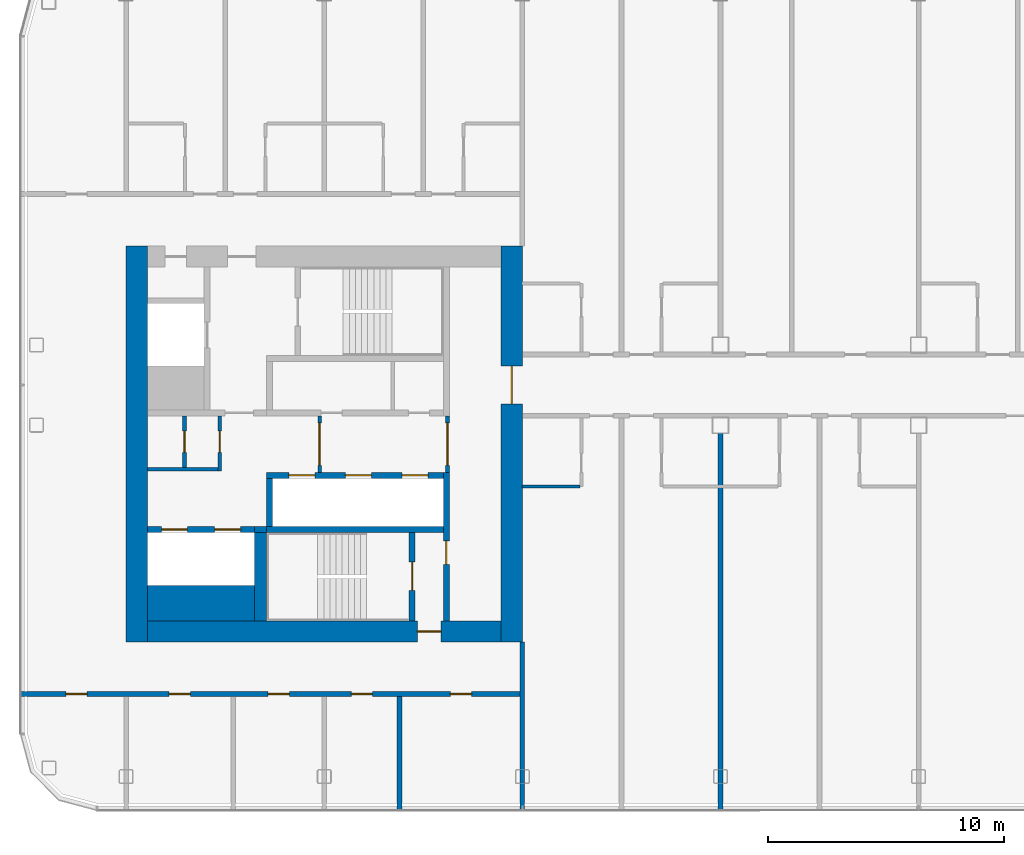
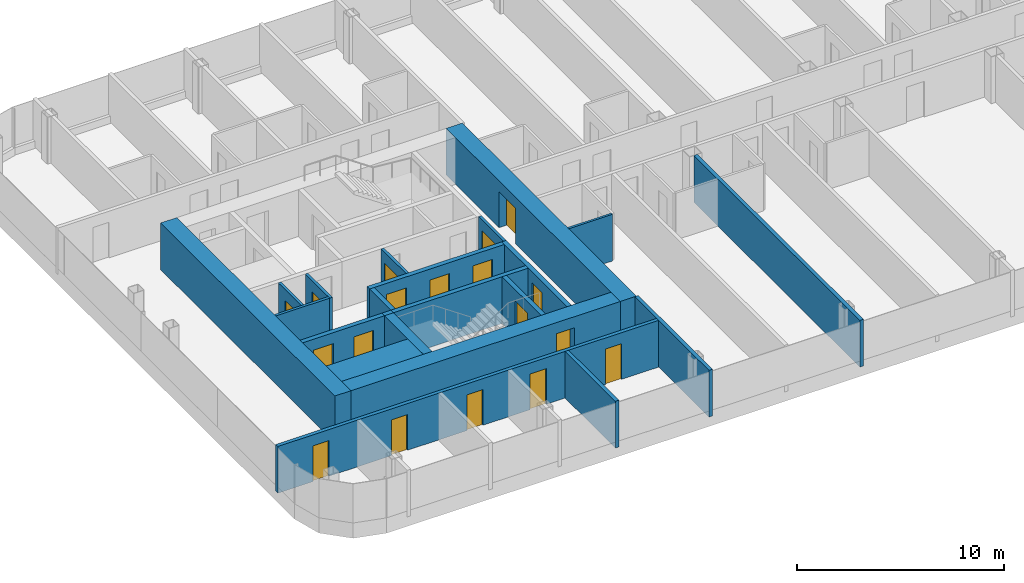
# One storey, part 13 of 26: 22 walls, 18 doors, 18 openings.
"""IFC4 building model written with IfcOpenShell, lengths in metres."""

import ifcopenshell
import ifcopenshell.guid

model = None  # the IFC model being written
_history = None  # IfcOwnerHistory: only IFC2X3 demands one
_inside = {}  # id of a spatial element -> (the spatial element, [elements in it])
_under = {}  # id of a project, library or spatial element -> (it, [spatial elements below it])
_declared = {}  # id of a project -> (the project, [libraries it declares])
_typed = {}  # id of a type object -> (the type object, [elements of that type])
_made_of = {}  # id of a material, layer set ... -> (it, [elements and type objects made of it])


def new_model(schema):
    """Start an empty IFC model of exactly this schema.

    Asked for "IFC4X3", IfcOpenShell would pick the latest addendum, in which some entities
    have other attributes; the version numbers below select the first issue.
    IFC2X3 requires an IfcOwnerHistory on every rooted entity: one is made here for all.
    """
    global model, _history
    if schema == "IFC4X3":
        model = ifcopenshell.file(schema_version=(4, 3, 0, 0))
    else:
        model = ifcopenshell.file(schema=schema)
    _inside.clear()
    _under.clear()
    _declared.clear()
    _typed.clear()
    _made_of.clear()
    _history = None
    if model.schema == "IFC2X3":
        org = make("IfcOrganization", Name="unknown")
        user = make(
            "IfcPersonAndOrganization",
            ThePerson=make("IfcPerson", FamilyName="unknown"),
            TheOrganization=org,
        )
        app = make(
            "IfcApplication",
            ApplicationDeveloper=org,
            Version="unknown",
            ApplicationFullName="unknown",
            ApplicationIdentifier="unknown",
        )
        _history = make(
            "IfcOwnerHistory",
            OwningUser=user,
            OwningApplication=app,
            ChangeAction="ADDED",
            CreationDate=0,
        )
    return model


def make(cls, **values):
    """One entity of the class cls with the attributes given. An attribute that is None is left unset."""
    return model.create_entity(
        cls, **{name: value for name, value in values.items() if value is not None}
    )


def rooted(cls, **values):
    """An entity with a GlobalId (a new one), such as an element, a storey or a relation."""
    return make(cls, GlobalId=ifcopenshell.guid.new(), OwnerHistory=_history, **values)


def si_unit(unit_type, name, prefix=None):
    """IfcSIUnit, for example si_unit("LENGTHUNIT", "METRE", prefix="MILLI")."""
    return make("IfcSIUnit", UnitType=unit_type, Prefix=prefix, Name=name)


def assignment(units):
    """IfcUnitAssignment: the units of a project."""
    return None if units is None else make("IfcUnitAssignment", Units=units)


def point(xyz):
    """IfcCartesianPoint."""
    return None if xyz is None else make("IfcCartesianPoint", Coordinates=xyz)


def direction(xyz):
    """IfcDirection."""
    return None if xyz is None else make("IfcDirection", DirectionRatios=xyz)


def frame(location, z_axis=None, x_axis=None):
    """IfcAxis2Placement3D, a coordinate frame: its origin and axes. An axis left out is left unset."""
    return make(
        "IfcAxis2Placement3D",
        Location=point(location),
        Axis=direction(z_axis),
        RefDirection=direction(x_axis),
    )


def frame_2d(location, x_axis=None):
    """IfcAxis2Placement2D, a coordinate frame in the plane: its origin and x axis."""
    return make(
        "IfcAxis2Placement2D", Location=point(location), RefDirection=direction(x_axis)
    )


def origin():
    """The frame at (0, 0, 0) with its axes left unset."""
    return frame((0.0, 0.0, 0.0))


def place(relative_to, where):
    """IfcLocalPlacement: puts the frame where relative to a parent placement (None: the world)."""
    return make(
        "IfcLocalPlacement", PlacementRelTo=relative_to, RelativePlacement=where
    )


def context(
    kind, dimensions, precision=None, world=None, true_north=None, identifier=None
):
    """IfcGeometricRepresentationContext, for example the 3D "Model" context."""
    return make(
        "IfcGeometricRepresentationContext",
        ContextIdentifier=identifier,
        ContextType=kind,
        CoordinateSpaceDimension=dimensions,
        Precision=precision,
        WorldCoordinateSystem=world,
        TrueNorth=true_north,
    )


def subcontext(parent, identifier, kind, view, scale=None):
    """IfcGeometricRepresentationSubContext, for example "Body" below "Model"."""
    return make(
        "IfcGeometricRepresentationSubContext",
        ContextIdentifier=identifier,
        ContextType=kind,
        ParentContext=parent,
        TargetScale=scale,
        TargetView=view,
    )


def project(units=None, contexts=None):
    """IfcProject with its units and contexts."""
    return rooted(
        "IfcProject",
        Name="project",
        RepresentationContexts=contexts,
        UnitsInContext=assignment(units),
    )


def spatial(cls, under=None, at=None, **own):
    """A site, building, storey or space (cls), placed at a placement, below another one or the project."""
    s = rooted(cls, ObjectPlacement=at, **own)
    if under is not None:
        _under.setdefault(under.id(), (under, []))[1].append(s)
    return s


def profile(cls, at=None, kind="AREA", **sizes):
    """A parametric profile (cls). Its sizes go by their IFC names, for example OverallWidth=200.0."""
    return make(cls, ProfileType=kind, Position=at, **sizes)


def rectangle(**sizes):
    """IfcRectangleProfileDef."""
    return profile("IfcRectangleProfileDef", **sizes)


def extrude(swept, where, along, depth):
    """IfcExtrudedAreaSolid: the profile swept, set in the frame where, extruded along a direction by depth."""
    return make(
        "IfcExtrudedAreaSolid",
        SweptArea=swept,
        Position=where,
        ExtrudedDirection=direction(along),
        Depth=depth,
    )


def shape(context_of_items, identifier, shape_type, items):
    """IfcShapeRepresentation: the items that make up one representation, for example the "Body"."""
    return make(
        "IfcShapeRepresentation",
        ContextOfItems=context_of_items,
        RepresentationIdentifier=identifier,
        RepresentationType=shape_type,
        Items=items,
    )


def material(Name=None, Category=None):
    """IfcMaterial."""
    return make("IfcMaterial", Name=Name, Category=Category)


def layer(
    of_material, thickness, ventilated=None, Name=None, Category=None, Priority=None
):
    """IfcMaterialLayer: one layer of a wall or slab, of a material (None: an air gap)."""
    return make(
        "IfcMaterialLayer",
        Material=of_material,
        LayerThickness=thickness,
        IsVentilated=ventilated,
        Name=Name,
        Category=Category,
        Priority=Priority,
    )


def layer_set(layers, Name=None):
    """IfcMaterialLayerSet."""
    return make("IfcMaterialLayerSet", MaterialLayers=layers, LayerSetName=Name)


def made_of(thing, what):
    """Note that an element or type object is made of a material, layer set ...; save() writes the relation."""
    if what is not None:
        _made_of.setdefault(what.id(), (what, []))[1].append(thing)
    return thing


def type_object(cls, material=None, **own):
    """A type object (cls), such as IfcWallType, which elements share."""
    return made_of(rooted(cls, **own), material)


def element(
    cls,
    number,
    at=None,
    inside=None,
    cuts=None,
    type_object=None,
    material=None,
    context=None,
    identifier="Body",
    shape_type=None,
    held_by="IfcProductDefinitionShape",
    body=None,
    shapes=None,
    **own,
):
    """One element of the class cls, such as IfcWall. Its Tag is "e" and its number.

    at: its placement. inside: the storey or other place that contains it. cuts: it is an
    opening in that element (IfcRelVoidsElement). A single representation is given by context,
    identifier, shape_type and body (its items); several are given by shapes. held_by: the class
    of the entity that holds the representations. save() writes the other relations.
    """
    e = rooted(cls, Tag="e%d" % number, ObjectPlacement=at, **own)
    if body is not None:
        shapes = [shape(context, identifier, shape_type, body)]
    if shapes is not None:
        e.Representation = make(held_by, Representations=shapes)
    if inside is not None:
        _inside.setdefault(inside.id(), (inside, []))[1].append(e)
    if cuts is not None:
        rooted(
            "IfcRelVoidsElement", RelatingBuildingElement=cuts, RelatedOpeningElement=e
        )
    if type_object is not None:
        _typed.setdefault(type_object.id(), (type_object, []))[1].append(e)
    return made_of(e, material)


def fill(opening, filler):
    """IfcRelFillsElement: the door or window that sits in an opening."""
    return rooted(
        "IfcRelFillsElement",
        RelatingOpeningElement=opening,
        RelatedBuildingElement=filler,
    )


def aggregate(whole, parts):
    """IfcRelAggregates: a whole, such as a stair, and the parts it consists of."""
    return rooted("IfcRelAggregates", RelatingObject=whole, RelatedObjects=parts)


def save(model, path):
    """Write the relations noted so far, then the file.

    IfcRelAggregates (storeys below a building ...), IfcRelContainedInSpatialStructure (elements
    in a storey), IfcRelDefinesByType, IfcRelAssociatesMaterial and IfcRelDeclares: one each for
    every whole, place, type object, material and project.
    """
    for whole, parts in _under.values():
        aggregate(whole, parts)
    for where, things in _inside.values():
        rooted(
            "IfcRelContainedInSpatialStructure",
            RelatedElements=things,
            RelatingStructure=where,
        )
    for kind, things in _typed.values():
        rooted("IfcRelDefinesByType", RelatedObjects=things, RelatingType=kind)
    for what, things in _made_of.values():
        rooted("IfcRelAssociatesMaterial", RelatedObjects=things, RelatingMaterial=what)
    for by, libraries in _declared.values():
        rooted("IfcRelDeclares", RelatingContext=by, RelatedDefinitions=libraries)
    model.write(path)


model = new_model("IFC4")

# Units and contexts
model_context = context("Model", 3, precision=1e-05, world=origin(), true_north=direction((0.0, 1.0)))
body_context = subcontext(model_context, "Body", "Model", "MODEL_VIEW")
ifc_project = project(units=[si_unit("LENGTHUNIT", "METRE"), si_unit("AREAUNIT", "SQUARE_METRE"), si_unit("VOLUMEUNIT", "CUBIC_METRE"), si_unit("PLANEANGLEUNIT", "RADIAN"), si_unit("MASSUNIT", "GRAM", prefix="KILO")], contexts=[model_context])

# Site, building, storey
site_placement = place(None, origin())
site = spatial("IfcSite", under=ifc_project, at=site_placement, CompositionType="ELEMENT")
building_placement = place(site_placement, origin())
building = spatial("IfcBuilding", under=site, at=building_placement, Name="Hakoniwa Tower and Hamabe Station Hall", CompositionType="ELEMENT")
storey_placement = place(building_placement, frame((0.0, 0.0, 221.800048828125)))
storey = spatial("IfcBuildingStorey", under=building, at=storey_placement, Name="L63", CompositionType="ELEMENT", Elevation=221.800048828125)

# Wall
ifc_material_1 = material(Name="Gypsum board partition", Category="gypsum")
ifc_layer_1 = layer(ifc_material_1, 0.125)
ifc_layer_set_1 = layer_set([ifc_layer_1], Name="Bathroom Partition 125")
wall_type_1 = type_object("IfcWallType", Name="Bathroom Partition 125", PredefinedType="PARTITIONING", material=ifc_layer_set_1)
wall_1_placement = place(storey_placement, frame((-16.81005859375, -1.800048828125, 0.0), z_axis=(0.0, 0.0, 1.0), x_axis=(1.0, 0.0, 0.0)))
element("IfcWall", 1, at=wall_1_placement, inside=storey, type_object=wall_type_1, Name="GW-L63-003", PredefinedType="PARTITIONING", context=body_context, shape_type="SweptSolid", body=[
    extrude(rectangle(XDim=2.447509765625, YDim=0.125, at=frame_2d((1.2236328125, 0.0))), origin(), (0.0, 0.0, 1.0), 2.75),
])

# Wall, opening, door
ifc_material_2 = material(Name="Gypsum board partition")
ifc_layer_2 = layer(ifc_material_2, 0.14990234375)
ifc_layer_set_2 = layer_set([ifc_layer_2], Name="CORE PARTITION 150 EI 60")
wall_type_2 = type_object("IfcWallType", Name="CORE PARTITION 150 EI 60", PredefinedType="PARTITIONING", material=ifc_layer_set_2)
wall_2_placement = place(storey_placement, frame((-19.97509765625, -1.199951171875, 0.0), z_axis=(0.0, 0.0, 1.0), x_axis=(0.0, 1.0, 0.0)))
wall_2 = element("IfcWall", 2, at=wall_2_placement, inside=storey, type_object=wall_type_2, Name="Core partition PL0 west", PredefinedType="PARTITIONING", context=body_context, shape_type="SweptSolid", body=[
    extrude(rectangle(XDim=2.39990234375, YDim=0.14990234375, at=frame_2d((1.199951171875, 0.0))), origin(), (0.0, 0.0, 1.0), 2.75),
])
opening_1_placement = place(wall_2_placement, frame((0.300048828125, 0.0, 0.0)))
opening_1 = element("IfcOpeningElement", 3, at=opening_1_placement, cuts=wall_2, Name="Opening CD-W-LP0-18", PredefinedType="OPENING", context=body_context, shape_type="SweptSolid", body=[
    extrude(rectangle(XDim=1.800048828125, YDim=2.10009765625, at=frame_2d((0.89990234375, 1.050048828125))), frame((0.0, 0.0849609375, 0.0), z_axis=(0.0, -1.0, 0.0), x_axis=(1.0, 0.0, 0.0)), (0.0, 0.0, 1.0), 0.169921875),
])
ifc_material_3 = material(Name="Steel fire door", Category="steel")
door_type_1 = type_object("IfcDoorType", Name="CORE DOOR 1800 FD60", OperationType="DOUBLE_DOOR_SINGLE_SWING", PredefinedType="DOOR", material=ifc_material_3)
door_1_placement = place(opening_1_placement, origin())
door_1 = element("IfcDoor", 4, at=door_1_placement, inside=storey, type_object=door_type_1, Name="Lift lobby partition door", OperationType="DOUBLE_DOOR_SINGLE_SWING", OverallHeight=2.10009765625, OverallWidth=1.800048828125, PredefinedType="DOOR", context=body_context, shape_type="SweptSolid", body=[
    extrude(rectangle(XDim=1.800048828125, YDim=2.10009765625, at=frame_2d((0.89990234375, 1.050048828125))), frame((0.0, 0.02490234375, 0.0), z_axis=(0.0, -1.0, 0.0), x_axis=(1.0, 0.0, 0.0)), (0.0, 0.0, 1.0), 0.050048828125),
])
fill(opening_1, door_1)

wall_3_placement = place(storey_placement, frame((-25.39990234375, -1.199951171875, 0.0), z_axis=(0.0, 0.0, 1.0), x_axis=(0.0, 1.0, 0.0)))
wall_3 = element("IfcWall", 5, at=wall_3_placement, inside=storey, type_object=wall_type_2, Name="Core partition PL1 west", PredefinedType="PARTITIONING", context=body_context, shape_type="SweptSolid", body=[
    extrude(rectangle(XDim=2.39990234375, YDim=0.14990234375, at=frame_2d((1.199951171875, 0.0))), origin(), (0.0, 0.0, 1.0), 2.75),
])
opening_2_placement = place(wall_3_placement, frame((0.300048828125, 0.0, 0.0)))
opening_2 = element("IfcOpeningElement", 6, at=opening_2_placement, cuts=wall_3, Name="Opening CD-W-LP1-18", PredefinedType="OPENING", context=body_context, shape_type="SweptSolid", body=[
    extrude(rectangle(XDim=1.800048828125, YDim=2.10009765625, at=frame_2d((0.89990234375, 1.050048828125))), frame((0.0, 0.0849609375, 0.0), z_axis=(0.0, -1.0, 0.0), x_axis=(1.0, 0.0, 0.0)), (0.0, 0.0, 1.0), 0.169921875),
])
door_2_placement = place(opening_2_placement, origin())
door_2 = element("IfcDoor", 7, at=door_2_placement, inside=storey, type_object=door_type_1, Name="Lift lobby partition door", OperationType="DOUBLE_DOOR_SINGLE_SWING", OverallHeight=2.10009765625, OverallWidth=1.800048828125, PredefinedType="DOOR", context=body_context, shape_type="SweptSolid", body=[
    extrude(rectangle(XDim=1.800048828125, YDim=2.10009765625, at=frame_2d((0.89990234375, 1.050048828125))), frame((0.0, 0.02490234375, 0.0), z_axis=(0.0, -1.0, 0.0), x_axis=(1.0, 0.0, 0.0)), (0.0, 0.0, 1.0), 0.050048828125),
])
fill(opening_2, door_2)

wall_4_placement = place(storey_placement, frame((-29.625, -1.14990234375, 0.0), z_axis=(0.0, 0.0, 1.0), x_axis=(0.0, 1.0, 0.0)))
wall_4 = element("IfcWall", 8, at=wall_4_placement, inside=storey, type_object=wall_type_2, Name="Core partition PW0 west", PredefinedType="PARTITIONING", context=body_context, shape_type="SweptSolid", body=[
    extrude(rectangle(XDim=2.349853515625, YDim=0.14990234375, at=frame_2d((1.1748046875, 0.0))), origin(), (0.0, 0.0, 1.0), 2.75),
])
opening_3_placement = place(wall_4_placement, frame((0.800048828125, 0.0, 0.0)))
opening_3 = element("IfcOpeningElement", 9, at=opening_3_placement, cuts=wall_4, Name="Opening CD-W-RM1-9", PredefinedType="OPENING", context=body_context, shape_type="SweptSolid", body=[
    extrude(rectangle(XDim=0.89990234375, YDim=2.10009765625, at=frame_2d((0.449951171875, 1.050048828125))), frame((0.0, 0.0849609375, 0.0), z_axis=(0.0, -1.0, 0.0), x_axis=(1.0, 0.0, 0.0)), (0.0, 0.0, 1.0), 0.169921875),
])
ifc_material_4 = material(Name="Steel fire door", Category="steel")
door_type_2 = type_object("IfcDoorType", Name="CORE DOOR 900 FD30", OperationType="NOTDEFINED", PredefinedType="DOOR", material=ifc_material_4)
door_3_placement = place(opening_3_placement, origin())
door_3 = element("IfcDoor", 10, at=door_3_placement, inside=storey, type_object=door_type_2, Name="Store room door", OperationType="SINGLE_SWING_LEFT", OverallHeight=2.10009765625, OverallWidth=0.89990234375, PredefinedType="DOOR", context=body_context, shape_type="SweptSolid", body=[
    extrude(rectangle(XDim=0.89990234375, YDim=2.10009765625, at=frame_2d((0.449951171875, 1.050048828125))), frame((0.0, 0.02490234375, 0.0), z_axis=(0.0, -1.0, 0.0), x_axis=(1.0, 0.0, 0.0)), (0.0, 0.0, 1.0), 0.050048828125),
])
fill(opening_3, door_3)

# Wall
wall_5_placement = place(storey_placement, frame((-32.699951171875, -1.074951171875, 0.0), z_axis=(0.0, 0.0, 1.0), x_axis=(1.0, 0.0, 0.0)))
element("IfcWall", 11, at=wall_5_placement, inside=storey, type_object=wall_type_2, Name="Core partition PS west", PredefinedType="PARTITIONING", context=body_context, shape_type="SweptSolid", body=[
    extrude(rectangle(XDim=3.0, YDim=0.14990234375, at=frame_2d((1.5, 0.0))), origin(), (0.0, 0.0, 1.0), 2.75),
])

# Wall, opening, door
wall_6_placement = place(storey_placement, frame((-31.125, -1.0, 0.0), z_axis=(0.0, 0.0, 1.0), x_axis=(0.0, 1.0, 0.0)))
wall_6 = element("IfcWall", 12, at=wall_6_placement, inside=storey, type_object=wall_type_2, Name="Core partition PW1 west", PredefinedType="PARTITIONING", context=body_context, shape_type="SweptSolid", body=[
    extrude(rectangle(XDim=2.199951171875, YDim=0.14990234375, at=frame_2d((1.10009765625, 0.0))), origin(), (0.0, 0.0, 1.0), 2.75),
])
opening_4_placement = place(wall_6_placement, frame((0.64990234375, 0.0, 0.0)))
opening_4 = element("IfcOpeningElement", 13, at=opening_4_placement, cuts=wall_6, Name="Opening CD-W-RM2-9", PredefinedType="OPENING", context=body_context, shape_type="SweptSolid", body=[
    extrude(rectangle(XDim=0.89990234375, YDim=2.10009765625, at=frame_2d((0.449951171875, 1.050048828125))), frame((0.0, 0.0849609375, 0.0), z_axis=(0.0, -1.0, 0.0), x_axis=(1.0, 0.0, 0.0)), (0.0, 0.0, 1.0), 0.169921875),
])
door_4_placement = place(opening_4_placement, origin())
door_4 = element("IfcDoor", 14, at=door_4_placement, inside=storey, type_object=door_type_2, Name="Store room door", OperationType="SINGLE_SWING_LEFT", OverallHeight=2.10009765625, OverallWidth=0.89990234375, PredefinedType="DOOR", context=body_context, shape_type="SweptSolid", body=[
    extrude(rectangle(XDim=0.89990234375, YDim=2.10009765625, at=frame_2d((0.449951171875, 1.050048828125))), frame((0.0, 0.02490234375, 0.0), z_axis=(0.0, -1.0, 0.0), x_axis=(1.0, 0.0, 0.0)), (0.0, 0.0, 1.0), 0.050048828125),
])
fill(opening_4, door_4)

ifc_material_5 = material(Name="Concrete C60", Category="concrete")
ifc_layer_3 = layer(ifc_material_5, 0.89990234375)
ifc_layer_set_3 = layer_set([ifc_layer_3], Name="CORE WALL 900 C60")
wall_type_3 = type_object("IfcWallType", Name="CORE WALL 900 C60", PredefinedType="SHEAR", material=ifc_layer_set_3)
wall_7_placement = place(storey_placement, frame((-17.25, -8.39990234375, 0.0), z_axis=(0.0, 0.0, 1.0), x_axis=(0.0, 1.0, 0.0)))
wall_7 = element("IfcWall", 15, at=wall_7_placement, inside=storey, type_object=wall_type_3, Name="Core wall INNER west", PredefinedType="SHEAR", context=body_context, shape_type="SweptSolid", body=[
    extrude(rectangle(XDim=16.7998046875, YDim=0.89990234375, at=frame_2d((8.39990234375, 0.0))), origin(), (0.0, 0.0, 1.0), 2.75),
])
opening_5_placement = place(wall_7_placement, frame((10.10009765625, 0.0, 0.0)))
opening_5 = element("IfcOpeningElement", 16, at=opening_5_placement, cuts=wall_7, Name="Opening CD-W-IN1-16", PredefinedType="OPENING", context=body_context, shape_type="SweptSolid", body=[
    extrude(rectangle(XDim=1.60009765625, YDim=2.10009765625, at=frame_2d((0.800048828125, 1.050048828125))), frame((0.0, 0.4599609375, 0.0), z_axis=(0.0, -1.0, 0.0), x_axis=(1.0, 0.0, 0.0)), (0.0, 0.0, 1.0), 0.919921875),
])
ifc_material_6 = material(Name="Steel fire door", Category="steel")
door_type_3 = type_object("IfcDoorType", Name="CORE DOOR 1600 FD60", OperationType="DOUBLE_DOOR_SINGLE_SWING", PredefinedType="DOOR", material=ifc_material_6)
door_5_placement = place(opening_5_placement, origin())
door_5 = element("IfcDoor", 17, at=door_5_placement, inside=storey, type_object=door_type_3, Name="Lift lobby door", OperationType="DOUBLE_DOOR_SINGLE_SWING", OverallHeight=2.10009765625, OverallWidth=1.60009765625, PredefinedType="DOOR", context=body_context, shape_type="SweptSolid", body=[
    extrude(rectangle(XDim=1.60009765625, YDim=2.10009765625, at=frame_2d((0.800048828125, 1.050048828125))), frame((0.0, 0.02490234375, 0.0), z_axis=(0.0, -1.0, 0.0), x_axis=(1.0, 0.0, 0.0)), (0.0, 0.0, 1.0), 0.050048828125),
])
fill(opening_5, door_5)

# Wall
wall_8_placement = place(storey_placement, frame((-33.14990234375, -8.39990234375, 0.0), z_axis=(0.0, 0.0, 1.0), x_axis=(0.0, 1.0, 0.0)))
element("IfcWall", 18, at=wall_8_placement, inside=storey, type_object=wall_type_3, Name="Core wall OUTER west", PredefinedType="SHEAR", context=body_context, shape_type="SweptSolid", body=[
    extrude(rectangle(XDim=16.7998046875, YDim=0.89990234375, at=frame_2d((8.39990234375, 0.0))), origin(), (0.0, 0.0, 1.0), 2.75),
])

# Wall, opening, door
wall_9_placement = place(storey_placement, frame((-32.699951171875, -7.949951171875, 0.0), z_axis=(0.0, 0.0, 1.0), x_axis=(1.0, 0.0, 0.0)))
wall_9 = element("IfcWall", 19, at=wall_9_placement, inside=storey, type_object=wall_type_3, Name="Core wall SOUTH west", PredefinedType="SHEAR", context=body_context, shape_type="SweptSolid", body=[
    extrude(rectangle(XDim=15.0, YDim=0.89990234375, at=frame_2d((7.5, 0.0))), origin(), (0.0, 0.0, 1.0), 2.75),
])
opening_6_placement = place(wall_9_placement, frame((11.449951171875, 0.0, 0.0)))
opening_6 = element("IfcOpeningElement", 20, at=opening_6_placement, cuts=wall_9, Name="Opening CD-W-FS3-10", PredefinedType="OPENING", context=body_context, shape_type="SweptSolid", body=[
    extrude(rectangle(XDim=1.0, YDim=2.10009765625, at=frame_2d((0.5, 1.050048828125))), frame((0.0, 0.4599609375, 0.0), z_axis=(0.0, -1.0, 0.0), x_axis=(1.0, 0.0, 0.0)), (0.0, 0.0, 1.0), 0.919921875),
])
ifc_material_7 = material(Name="Steel fire door", Category="steel")
door_type_4 = type_object("IfcDoorType", Name="CORE DOOR 1000 FD60", OperationType="NOTDEFINED", PredefinedType="DOOR", material=ifc_material_7)
door_6_placement = place(opening_6_placement, origin())
door_6 = element("IfcDoor", 21, at=door_6_placement, inside=storey, type_object=door_type_4, Name="Stair vestibule door", OperationType="SINGLE_SWING_RIGHT", OverallHeight=2.10009765625, OverallWidth=1.0, PredefinedType="DOOR", context=body_context, shape_type="SweptSolid", body=[
    extrude(rectangle(XDim=1.0, YDim=2.10009765625, at=frame_2d((0.5, 1.050048828125))), frame((0.0, 0.02490234375, 0.0), z_axis=(0.0, -1.0, 0.0), x_axis=(1.0, 0.0, 0.0)), (0.0, 0.0, 1.0), 0.050048828125),
])
fill(opening_6, door_6)

# Wall
ifc_material_8 = material(Name="Concrete C60", Category="concrete")
ifc_layer_4 = layer(ifc_material_8, 1.5)
ifc_layer_set_4 = layer_set([ifc_layer_4], Name="CORE WEB WALL 1500 C60")
wall_type_4 = type_object("IfcWallType", Name="CORE WEB WALL 1500 C60", PredefinedType="SHEAR", material=ifc_layer_set_4)
wall_10_placement = place(storey_placement, frame((-32.699951171875, -6.75, 0.0), z_axis=(0.0, 0.0, 1.0), x_axis=(1.0, 0.0, 0.0)))
element("IfcWall", 22, at=wall_10_placement, inside=storey, type_object=wall_type_4, Name="Core wall SER west", PredefinedType="SHEAR", context=body_context, shape_type="SweptSolid", body=[
    extrude(rectangle(XDim=4.550048828125, YDim=1.5, at=frame_2d((2.27490234375, 0.0))), origin(), (0.0, 0.0, 1.0), 2.75),
])

# Wall, opening, door
ifc_material_9 = material(Name="Concrete C60", Category="concrete")
ifc_layer_5 = layer(ifc_material_9, 0.25)
ifc_layer_set_5 = layer_set([ifc_layer_5], Name="CORE WEB WALL 250 C60")
wall_type_5 = type_object("IfcWallType", Name="CORE WEB WALL 250 C60", PredefinedType="SHEAR", material=ifc_layer_set_5)
wall_11_placement = place(storey_placement, frame((-20.02490234375, -7.5, 0.0), z_axis=(0.0, 0.0, 1.0), x_axis=(0.0, 1.0, 0.0)))
wall_11 = element("IfcWall", 23, at=wall_11_placement, inside=storey, type_object=wall_type_5, Name="Core wall W1S west", PredefinedType="SHEAR", context=body_context, shape_type="SweptSolid", body=[
    extrude(rectangle(XDim=6.300048828125, YDim=0.25, at=frame_2d((3.14990234375, 0.0))), origin(), (0.0, 0.0, 1.0), 2.75),
])
opening_7_placement = place(wall_11_placement, frame((2.39990234375, 0.0, 0.0)))
opening_7 = element("IfcOpeningElement", 24, at=opening_7_placement, cuts=wall_11, Name="Opening CD-W-VS-10", PredefinedType="OPENING", context=body_context, shape_type="SweptSolid", body=[
    extrude(rectangle(XDim=1.0, YDim=2.10009765625, at=frame_2d((0.5, 1.050048828125))), frame((0.0, 0.135009765625, 0.0), z_axis=(0.0, -1.0, 0.0), x_axis=(1.0, 0.0, 0.0)), (0.0, 0.0, 1.0), 0.27001953125),
])
door_7_placement = place(opening_7_placement, origin())
door_7 = element("IfcDoor", 25, at=door_7_placement, inside=storey, type_object=door_type_4, Name="Stair vestibule door", OperationType="SINGLE_SWING_LEFT", OverallHeight=2.10009765625, OverallWidth=1.0, PredefinedType="DOOR", context=body_context, shape_type="SweptSolid", body=[
    extrude(rectangle(XDim=1.0, YDim=2.10009765625, at=frame_2d((0.5, 1.050048828125))), frame((0.0, 0.02490234375, 0.0), z_axis=(0.0, -1.0, 0.0), x_axis=(1.0, 0.0, 0.0)), (0.0, 0.0, 1.0), 0.050048828125),
])
fill(opening_7, door_7)

# Wall, openings, doors
wall_12_placement = place(storey_placement, frame((-27.64990234375, -1.324951171875, 0.0), z_axis=(0.0, 0.0, 1.0), x_axis=(1.0, 0.0, 0.0)))
wall_12 = element("IfcWall", 26, at=wall_12_placement, inside=storey, type_object=wall_type_5, Name="Core wall SF west", PredefinedType="SHEAR", context=body_context, shape_type="SweptSolid", body=[
    extrude(rectangle(XDim=7.5, YDim=0.25, at=frame_2d((3.75, 0.0))), origin(), (0.0, 0.0, 1.0), 2.75),
])
opening_8_placement = place(wall_12_placement, frame((5.75, 0.0, 0.0)))
opening_8 = element("IfcOpeningElement", 27, at=opening_8_placement, cuts=wall_12, Name="Opening LD-HR1", PredefinedType="OPENING", context=body_context, shape_type="SweptSolid", body=[
    extrude(rectangle(XDim=1.10009765625, YDim=2.10009765625, at=frame_2d((0.550048828125, 1.050048828125))), frame((0.0, 0.135009765625, 0.0), z_axis=(0.0, -1.0, 0.0), x_axis=(1.0, 0.0, 0.0)), (0.0, 0.0, 1.0), 0.27001953125),
])
opening_9_placement = place(wall_12_placement, frame((3.35009765625, 0.0, 0.0)))
opening_9 = element("IfcOpeningElement", 28, at=opening_9_placement, cuts=wall_12, Name="Opening LD-HR2", PredefinedType="OPENING", context=body_context, shape_type="SweptSolid", body=[
    extrude(rectangle(XDim=1.10009765625, YDim=2.10009765625, at=frame_2d((0.550048828125, 1.050048828125))), frame((0.0, 0.135009765625, 0.0), z_axis=(0.0, -1.0, 0.0), x_axis=(1.0, 0.0, 0.0)), (0.0, 0.0, 1.0), 0.27001953125),
])
opening_10_placement = place(wall_12_placement, frame((0.949951171875, 0.0, 0.0)))
opening_10 = element("IfcOpeningElement", 29, at=opening_10_placement, cuts=wall_12, Name="Opening LD-HR3", PredefinedType="OPENING", context=body_context, shape_type="SweptSolid", body=[
    extrude(rectangle(XDim=1.10009765625, YDim=2.10009765625, at=frame_2d((0.550048828125, 1.050048828125))), frame((0.0, 0.135009765625, 0.0), z_axis=(0.0, -1.0, 0.0), x_axis=(1.0, 0.0, 0.0)), (0.0, 0.0, 1.0), 0.27001953125),
])
ifc_material_10 = material(Name="Stainless steel SUS304", Category="steel")
door_type_5 = type_object("IfcDoorType", Name="LIFT LANDING DOOR 1100 FD60", OperationType="DOUBLE_DOOR_SLIDING", PredefinedType="DOOR", material=ifc_material_10)
door_8_placement = place(opening_8_placement, origin())
door_8 = element("IfcDoor", 30, at=door_8_placement, inside=storey, type_object=door_type_5, Name="Lift landing door HR1 L63", OperationType="DOUBLE_DOOR_SLIDING", OverallHeight=2.10009765625, OverallWidth=1.10009765625, PredefinedType="DOOR", context=body_context, shape_type="SweptSolid", body=[
    extrude(rectangle(XDim=1.10009765625, YDim=2.10009765625, at=frame_2d((0.550048828125, 1.050048828125))), frame((0.0, 0.02490234375, 0.0), z_axis=(0.0, -1.0, 0.0), x_axis=(1.0, 0.0, 0.0)), (0.0, 0.0, 1.0), 0.050048828125),
])
fill(opening_8, door_8)
door_9_placement = place(opening_9_placement, origin())
door_9 = element("IfcDoor", 31, at=door_9_placement, inside=storey, type_object=door_type_5, Name="Lift landing door HR2 L63", OperationType="DOUBLE_DOOR_SLIDING", OverallHeight=2.10009765625, OverallWidth=1.10009765625, PredefinedType="DOOR", context=body_context, shape_type="SweptSolid", body=[
    extrude(rectangle(XDim=1.10009765625, YDim=2.10009765625, at=frame_2d((0.550048828125, 1.050048828125))), frame((0.0, 0.02490234375, 0.0), z_axis=(0.0, -1.0, 0.0), x_axis=(1.0, 0.0, 0.0)), (0.0, 0.0, 1.0), 0.050048828125),
])
fill(opening_9, door_9)
door_10_placement = place(opening_10_placement, origin())
door_10 = element("IfcDoor", 32, at=door_10_placement, inside=storey, type_object=door_type_5, Name="Lift landing door HR3 L63", OperationType="DOUBLE_DOOR_SLIDING", OverallHeight=2.10009765625, OverallWidth=1.10009765625, PredefinedType="DOOR", context=body_context, shape_type="SweptSolid", body=[
    extrude(rectangle(XDim=1.10009765625, YDim=2.10009765625, at=frame_2d((0.550048828125, 1.050048828125))), frame((0.0, 0.02490234375, 0.0), z_axis=(0.0, -1.0, 0.0), x_axis=(1.0, 0.0, 0.0)), (0.0, 0.0, 1.0), 0.050048828125),
])
fill(opening_10, door_10)

# Walls
wall_13_placement = place(storey_placement, frame((-27.52490234375, -3.5, 0.0), z_axis=(0.0, 0.0, 1.0), x_axis=(0.0, 1.0, 0.0)))
element("IfcWall", 33, at=wall_13_placement, inside=storey, type_object=wall_type_5, Name="Core wall SE west", PredefinedType="SHEAR", context=body_context, shape_type="SweptSolid", body=[
    extrude(rectangle(XDim=2.050048828125, YDim=0.25, at=frame_2d((1.02490234375, 0.0))), origin(), (0.0, 0.0, 1.0), 2.75),
])
wall_14_placement = place(storey_placement, frame((-27.64990234375, -3.625, 0.0), z_axis=(0.0, 0.0, 1.0), x_axis=(1.0, 0.0, 0.0)))
element("IfcWall", 34, at=wall_14_placement, inside=storey, type_object=wall_type_5, Name="Core wall SR west", PredefinedType="SHEAR", context=body_context, shape_type="SweptSolid", body=[
    extrude(rectangle(XDim=7.5, YDim=0.25, at=frame_2d((3.75, 0.0))), origin(), (0.0, 0.0, 1.0), 2.75),
])

# Wall, opening, door
wall_15_placement = place(storey_placement, frame((-21.47509765625, -7.5, 0.0), z_axis=(0.0, 0.0, 1.0), x_axis=(0.0, 1.0, 0.0)))
wall_15 = element("IfcWall", 35, at=wall_15_placement, inside=storey, type_object=wall_type_5, Name="Core wall VE west", PredefinedType="SHEAR", context=body_context, shape_type="SweptSolid", body=[
    extrude(rectangle(XDim=3.75, YDim=0.25, at=frame_2d((1.875, 0.0))), origin(), (0.0, 0.0, 1.0), 2.75),
])
opening_11_placement = place(wall_15_placement, frame((1.300048828125, 0.0, 0.0)))
opening_11 = element("IfcOpeningElement", 36, at=opening_11_placement, cuts=wall_15, Name="Opening CD-W-SS-12", PredefinedType="OPENING", context=body_context, shape_type="SweptSolid", body=[
    extrude(rectangle(XDim=1.199951171875, YDim=2.10009765625, at=frame_2d((0.60009765625, 1.050048828125))), frame((0.0, 0.135009765625, 0.0), z_axis=(0.0, -1.0, 0.0), x_axis=(1.0, 0.0, 0.0)), (0.0, 0.0, 1.0), 0.27001953125),
])
ifc_material_11 = material(Name="Steel fire door", Category="steel")
door_type_6 = type_object("IfcDoorType", Name="CORE DOOR 1200 FD60", OperationType="DOUBLE_DOOR_SINGLE_SWING", PredefinedType="DOOR", material=ifc_material_11)
door_11_placement = place(opening_11_placement, origin())
door_11 = element("IfcDoor", 37, at=door_11_placement, inside=storey, type_object=door_type_6, Name="Escape stair door", OperationType="DOUBLE_DOOR_SINGLE_SWING", OverallHeight=2.10009765625, OverallWidth=1.199951171875, PredefinedType="DOOR", context=body_context, shape_type="SweptSolid", body=[
    extrude(rectangle(XDim=1.199951171875, YDim=2.10009765625, at=frame_2d((0.60009765625, 1.050048828125))), frame((0.0, 0.02490234375, 0.0), z_axis=(0.0, -1.0, 0.0), x_axis=(1.0, 0.0, 0.0)), (0.0, 0.0, 1.0), 0.050048828125),
])
fill(opening_11, door_11)

# Wall, openings, doors
wall_16_placement = place(storey_placement, frame((-32.699951171875, -3.625, 0.0), z_axis=(0.0, 0.0, 1.0), x_axis=(1.0, 0.0, 0.0)))
wall_16 = element("IfcWall", 38, at=wall_16_placement, inside=storey, type_object=wall_type_5, Name="Core wall SEF west", PredefinedType="SHEAR", context=body_context, shape_type="SweptSolid", body=[
    extrude(rectangle(XDim=4.550048828125, YDim=0.25, at=frame_2d((2.27490234375, 0.0))), origin(), (0.0, 0.0, 1.0), 2.75),
])
opening_12_placement = place(wall_16_placement, frame((2.85009765625, 0.0, 0.0)))
opening_12 = element("IfcOpeningElement", 39, at=opening_12_placement, cuts=wall_16, Name="Opening LD-SV1", PredefinedType="OPENING", context=body_context, shape_type="SweptSolid", body=[
    extrude(rectangle(XDim=1.10009765625, YDim=2.10009765625, at=frame_2d((0.550048828125, 1.050048828125))), frame((0.0, 0.135009765625, 0.0), z_axis=(0.0, -1.0, 0.0), x_axis=(1.0, 0.0, 0.0)), (0.0, 0.0, 1.0), 0.27001953125),
])
opening_13_placement = place(wall_16_placement, frame((0.60009765625, 0.0, 0.0)))
opening_13 = element("IfcOpeningElement", 40, at=opening_13_placement, cuts=wall_16, Name="Opening LD-SV2", PredefinedType="OPENING", context=body_context, shape_type="SweptSolid", body=[
    extrude(rectangle(XDim=1.10009765625, YDim=2.10009765625, at=frame_2d((0.550048828125, 1.050048828125))), frame((0.0, 0.135009765625, 0.0), z_axis=(0.0, -1.0, 0.0), x_axis=(1.0, 0.0, 0.0)), (0.0, 0.0, 1.0), 0.27001953125),
])
door_12_placement = place(opening_12_placement, origin())
door_12 = element("IfcDoor", 41, at=door_12_placement, inside=storey, type_object=door_type_5, Name="Lift landing door SV1 L63", OperationType="DOUBLE_DOOR_SLIDING", OverallHeight=2.10009765625, OverallWidth=1.10009765625, PredefinedType="DOOR", context=body_context, shape_type="SweptSolid", body=[
    extrude(rectangle(XDim=1.10009765625, YDim=2.10009765625, at=frame_2d((0.550048828125, 1.050048828125))), frame((0.0, 0.02490234375, 0.0), z_axis=(0.0, -1.0, 0.0), x_axis=(1.0, 0.0, 0.0)), (0.0, 0.0, 1.0), 0.050048828125),
])
fill(opening_12, door_12)
door_13_placement = place(opening_13_placement, origin())
door_13 = element("IfcDoor", 42, at=door_13_placement, inside=storey, type_object=door_type_5, Name="Lift landing door SV2 L63", OperationType="DOUBLE_DOOR_SLIDING", OverallHeight=2.10009765625, OverallWidth=1.10009765625, PredefinedType="DOOR", context=body_context, shape_type="SweptSolid", body=[
    extrude(rectangle(XDim=1.10009765625, YDim=2.10009765625, at=frame_2d((0.550048828125, 1.050048828125))), frame((0.0, 0.02490234375, 0.0), z_axis=(0.0, -1.0, 0.0), x_axis=(1.0, 0.0, 0.0)), (0.0, 0.0, 1.0), 0.050048828125),
])
fill(opening_13, door_13)

# Walls
wall_17_placement = place(storey_placement, frame((-28.14990234375, -3.625, 0.0), z_axis=(0.0, 0.0, 1.0), x_axis=(1.0, 0.0, 0.0)))
element("IfcWall", 43, at=wall_17_placement, inside=storey, type_object=wall_type_5, Name="Core wall SRK west", PredefinedType="SHEAR", context=body_context, shape_type="SweptSolid", body=[
    extrude(rectangle(XDim=0.5, YDim=0.25, at=frame_2d((0.25, 0.0))), origin(), (0.0, 0.0, 1.0), 2.75),
])
ifc_material_12 = material(Name="Concrete C60", Category="concrete")
ifc_layer_6 = layer(ifc_material_12, 0.5)
ifc_layer_set_6 = layer_set([ifc_layer_6], Name="CORE WEB WALL 500 C60")
wall_type_6 = type_object("IfcWallType", Name="CORE WEB WALL 500 C60", PredefinedType="SHEAR", material=ifc_layer_set_6)
wall_18_placement = place(storey_placement, frame((-27.89990234375, -7.5, 0.0), z_axis=(0.0, 0.0, 1.0), x_axis=(0.0, 1.0, 0.0)))
element("IfcWall", 44, at=wall_18_placement, inside=storey, type_object=wall_type_6, Name="Core wall SSE west", PredefinedType="SHEAR", context=body_context, shape_type="SweptSolid", body=[
    extrude(rectangle(XDim=3.75, YDim=0.5, at=frame_2d((1.875, 0.0))), origin(), (0.0, 0.0, 1.0), 2.75),
])

# Wall, openings, doors
ifc_material_13 = material(Name="Fire-rated gypsum board partition", Category="gypsum")
ifc_layer_7 = layer(ifc_material_13, 0.199951171875)
ifc_layer_set_7 = layer_set([ifc_layer_7], Name="Corridor Wall 200")
wall_type_7 = type_object("IfcWallType", Name="Corridor Wall 200", PredefinedType="PARTITIONING", material=ifc_layer_set_7)
wall_19_placement = place(storey_placement, frame((-38.10009765625, -10.60009765625, 0.0), z_axis=(0.0, 0.0, 1.0), x_axis=(1.0, 0.0, 0.0)))
wall_19 = element("IfcWall", 45, at=wall_19_placement, inside=storey, type_object=wall_type_7, Name="GW-L63-001", PredefinedType="PARTITIONING", context=body_context, shape_type="SweptSolid", body=[
    extrude(rectangle(XDim=21.300048828125, YDim=0.199951171875, at=frame_2d((10.64990234375, 0.0))), origin(), (0.0, 0.0, 1.0), 2.75),
])
opening_14_placement = place(wall_19_placement, frame((1.949951171875, 0.0, 0.0)))
opening_14 = element("IfcOpeningElement", 46, at=opening_14_placement, cuts=wall_19, Name="Opening GD-G4B2-01", PredefinedType="OPENING", context=body_context, shape_type="SweptSolid", body=[
    extrude(rectangle(XDim=0.89990234375, YDim=2.10009765625, at=frame_2d((0.449951171875, 1.050048828125))), frame((0.0, 0.10986328125, 0.0), z_axis=(0.0, -1.0, 0.0), x_axis=(1.0, 0.0, 0.0)), (0.0, 0.0, 1.0), 0.219970703125),
])
opening_15_placement = place(wall_19_placement, frame((6.320068359375, 0.0, 0.0)))
opening_15 = element("IfcOpeningElement", 47, at=opening_15_placement, cuts=wall_19, Name="Opening GD-G4B2-02", PredefinedType="OPENING", context=body_context, shape_type="SweptSolid", body=[
    extrude(rectangle(XDim=0.89990234375, YDim=2.10009765625, at=frame_2d((0.449951171875, 1.050048828125))), frame((0.0, 0.10986328125, 0.0), z_axis=(0.0, -1.0, 0.0), x_axis=(1.0, 0.0, 0.0)), (0.0, 0.0, 1.0), 0.219970703125),
])
opening_16_placement = place(wall_19_placement, frame((10.52001953125, 0.0, 0.0)))
opening_16 = element("IfcOpeningElement", 48, at=opening_16_placement, cuts=wall_19, Name="Opening GD-G4B2-03", PredefinedType="OPENING", context=body_context, shape_type="SweptSolid", body=[
    extrude(rectangle(XDim=0.89990234375, YDim=2.10009765625, at=frame_2d((0.449951171875, 1.050048828125))), frame((0.0, 0.10986328125, 0.0), z_axis=(0.0, -1.0, 0.0), x_axis=(1.0, 0.0, 0.0)), (0.0, 0.0, 1.0), 0.219970703125),
])
opening_17_placement = place(wall_19_placement, frame((14.044921875, 0.0, 0.0)))
opening_17 = element("IfcOpeningElement", 49, at=opening_17_placement, cuts=wall_19, Name="Opening GD-G4B2-04", PredefinedType="OPENING", context=body_context, shape_type="SweptSolid", body=[
    extrude(rectangle(XDim=0.89990234375, YDim=2.10009765625, at=frame_2d((0.449951171875, 1.050048828125))), frame((0.0, 0.10986328125, 0.0), z_axis=(0.0, -1.0, 0.0), x_axis=(1.0, 0.0, 0.0)), (0.0, 0.0, 1.0), 0.219970703125),
])
opening_18_placement = place(wall_19_placement, frame((18.2451171875, 0.0, 0.0)))
opening_18 = element("IfcOpeningElement", 50, at=opening_18_placement, cuts=wall_19, Name="Opening GD-G4B2-05", PredefinedType="OPENING", context=body_context, shape_type="SweptSolid", body=[
    extrude(rectangle(XDim=0.89990234375, YDim=2.10009765625, at=frame_2d((0.449951171875, 1.050048828125))), frame((0.0, 0.10986328125, 0.0), z_axis=(0.0, -1.0, 0.0), x_axis=(1.0, 0.0, 0.0)), (0.0, 0.0, 1.0), 0.219970703125),
])
ifc_material_14 = material(Name="Timber door leaf", Category="wood")
door_type_7 = type_object("IfcDoorType", Name="Service Door 900", OperationType="SINGLE_SWING_LEFT", PredefinedType="DOOR", material=ifc_material_14)
door_14_placement = place(opening_14_placement, origin())
door_14 = element("IfcDoor", 51, at=door_14_placement, inside=storey, type_object=door_type_7, Name="Door GD-G4B2-01", OperationType="SINGLE_SWING_RIGHT", OverallHeight=2.10009765625, OverallWidth=0.89990234375, PredefinedType="DOOR", context=body_context, shape_type="SweptSolid", body=[
    extrude(rectangle(XDim=0.89990234375, YDim=2.10009765625, at=frame_2d((0.449951171875, 1.050048828125))), frame((0.0, 0.02490234375, 0.0), z_axis=(0.0, -1.0, 0.0), x_axis=(1.0, 0.0, 0.0)), (0.0, 0.0, 1.0), 0.050048828125),
])
fill(opening_14, door_14)
door_15_placement = place(opening_15_placement, origin())
door_15 = element("IfcDoor", 52, at=door_15_placement, inside=storey, type_object=door_type_7, Name="Door GD-G4B2-02", OperationType="SINGLE_SWING_LEFT", OverallHeight=2.10009765625, OverallWidth=0.89990234375, PredefinedType="DOOR", context=body_context, shape_type="SweptSolid", body=[
    extrude(rectangle(XDim=0.89990234375, YDim=2.10009765625, at=frame_2d((0.449951171875, 1.050048828125))), frame((0.0, 0.02490234375, 0.0), z_axis=(0.0, -1.0, 0.0), x_axis=(1.0, 0.0, 0.0)), (0.0, 0.0, 1.0), 0.050048828125),
])
fill(opening_15, door_15)
door_16_placement = place(opening_16_placement, origin())
door_16 = element("IfcDoor", 53, at=door_16_placement, inside=storey, type_object=door_type_7, Name="Door GD-G4B2-03", OperationType="SINGLE_SWING_RIGHT", OverallHeight=2.10009765625, OverallWidth=0.89990234375, PredefinedType="DOOR", context=body_context, shape_type="SweptSolid", body=[
    extrude(rectangle(XDim=0.89990234375, YDim=2.10009765625, at=frame_2d((0.449951171875, 1.050048828125))), frame((0.0, 0.02490234375, 0.0), z_axis=(0.0, -1.0, 0.0), x_axis=(1.0, 0.0, 0.0)), (0.0, 0.0, 1.0), 0.050048828125),
])
fill(opening_16, door_16)
door_17_placement = place(opening_17_placement, origin())
door_17 = element("IfcDoor", 54, at=door_17_placement, inside=storey, type_object=door_type_7, Name="Door GD-G4B2-04", OperationType="SINGLE_SWING_LEFT", OverallHeight=2.10009765625, OverallWidth=0.89990234375, PredefinedType="DOOR", context=body_context, shape_type="SweptSolid", body=[
    extrude(rectangle(XDim=0.89990234375, YDim=2.10009765625, at=frame_2d((0.449951171875, 1.050048828125))), frame((0.0, 0.02490234375, 0.0), z_axis=(0.0, -1.0, 0.0), x_axis=(1.0, 0.0, 0.0)), (0.0, 0.0, 1.0), 0.050048828125),
])
fill(opening_17, door_17)
door_18_placement = place(opening_18_placement, origin())
door_18 = element("IfcDoor", 55, at=door_18_placement, inside=storey, type_object=door_type_7, Name="Door GD-G4B2-05", OperationType="SINGLE_SWING_RIGHT", OverallHeight=2.10009765625, OverallWidth=0.89990234375, PredefinedType="DOOR", context=body_context, shape_type="SweptSolid", body=[
    extrude(rectangle(XDim=0.89990234375, YDim=2.10009765625, at=frame_2d((0.449951171875, 1.050048828125))), frame((0.0, 0.02490234375, 0.0), z_axis=(0.0, -1.0, 0.0), x_axis=(1.0, 0.0, 0.0)), (0.0, 0.0, 1.0), 0.050048828125),
])
fill(opening_18, door_18)

# Walls
ifc_material_15 = material(Name="Fire-rated gypsum board partition", Category="gypsum")
ifc_layer_8 = layer(ifc_material_15, 0.199951171875)
ifc_layer_set_8 = layer_set([ifc_layer_8], Name="Party Wall 200")
wall_type_8 = type_object("IfcWallType", Name="Party Wall 200", PredefinedType="PARTITIONING", material=ifc_layer_set_8)
wall_20_placement = place(storey_placement, frame((-22.010009765625, -15.550048828125, 0.0), z_axis=(0.0, 0.0, 1.0), x_axis=(0.0, 1.0, 0.0)))
element("IfcWall", 56, at=wall_20_placement, inside=storey, type_object=wall_type_8, Name="GW-L63-030", PredefinedType="PARTITIONING", context=body_context, shape_type="SweptSolid", body=[
    extrude(rectangle(XDim=4.85009765625, YDim=0.199951171875, at=frame_2d((2.425048828125, 0.0))), origin(), (0.0, 0.0, 1.0), 2.75),
])
wall_21_placement = place(storey_placement, frame((-16.800048828125, -15.550048828125, 0.0), z_axis=(0.0, 0.0, 1.0), x_axis=(0.0, 1.0, 0.0)))
element("IfcWall", 57, at=wall_21_placement, inside=storey, type_object=wall_type_8, Name="GW-L63-033", PredefinedType="PARTITIONING", context=body_context, shape_type="SweptSolid", body=[
    extrude(rectangle(XDim=7.16015625, YDim=0.199951171875, at=frame_2d((3.580078125, 0.0))), origin(), (0.0, 0.0, 1.0), 2.75),
])
wall_22_placement = place(storey_placement, frame((-8.39990234375, -15.550048828125, 0.0), z_axis=(0.0, 0.0, 1.0), x_axis=(0.0, 1.0, 0.0)))
element("IfcWall", 58, at=wall_22_placement, inside=storey, type_object=wall_type_8, Name="GW-L63-041", PredefinedType="PARTITIONING", context=body_context, shape_type="SweptSolid", body=[
    extrude(rectangle(XDim=16.010009765625, YDim=0.199951171875, at=frame_2d((8.0048828125, 0.0))), origin(), (0.0, 0.0, 1.0), 2.75),
])

save(model, "model.ifc")
